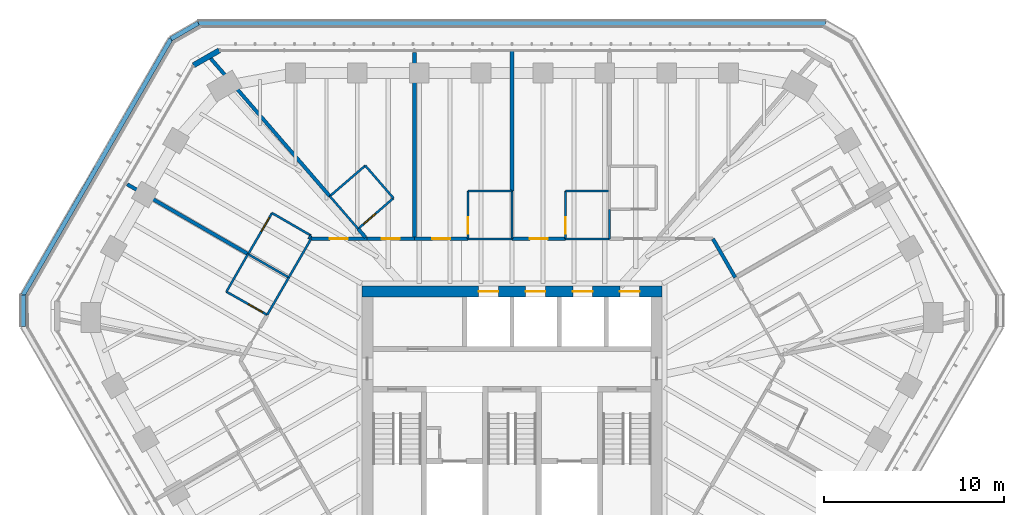
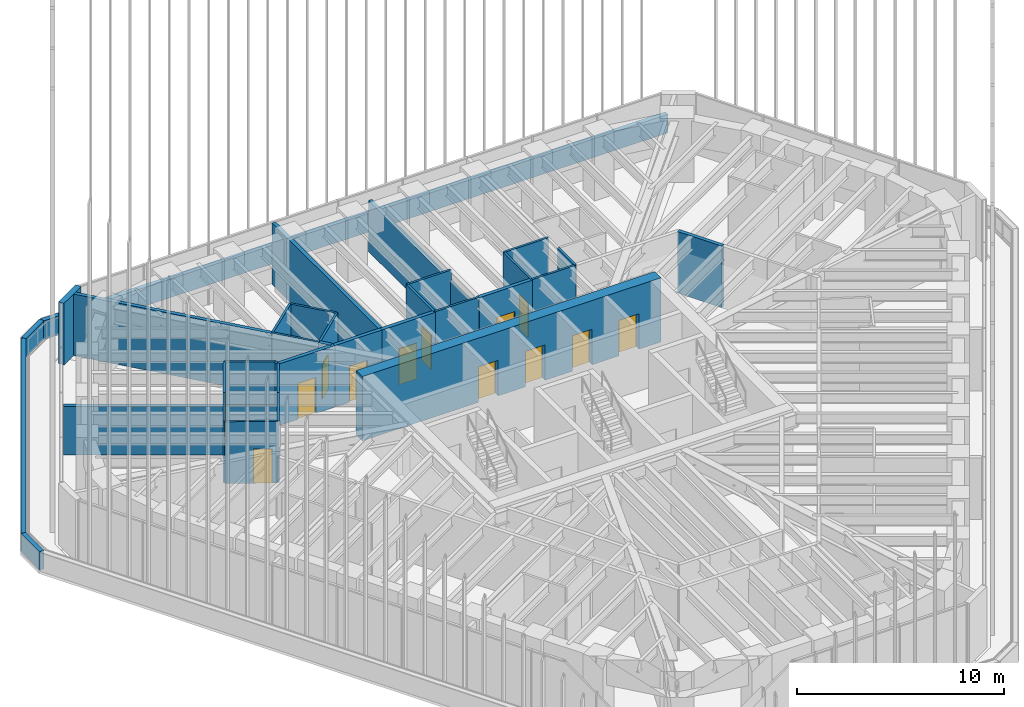
# One storey, part 123 of 127: 36 walls, 13 doors, 13 openings.
"""IFC4 building model written with IfcOpenShell, lengths in metres."""

from ifc_helpers import new_model, si_unit, direction, frame, frame_2d, origin, place, context, subcontext, project, spatial, rectangle, extrude, material, layer, layer_set, type_object, element, fill, save


model = new_model("IFC4")

# Units and contexts
model_context = context("Model", 3, precision=1e-05, world=origin(), true_north=direction((0.0, 1.0)))
body_context = subcontext(model_context, "Body", "Model", "MODEL_VIEW")
ifc_project = project(units=[si_unit("LENGTHUNIT", "METRE"), si_unit("AREAUNIT", "SQUARE_METRE"), si_unit("VOLUMEUNIT", "CUBIC_METRE"), si_unit("PLANEANGLEUNIT", "RADIAN"), si_unit("MASSUNIT", "GRAM", prefix="KILO")], contexts=[model_context])

# Site, building, storey
site_placement = place(None, origin())
site = spatial("IfcSite", under=ifc_project, at=site_placement, CompositionType="ELEMENT")
building_placement = place(site_placement, origin())
building = spatial("IfcBuilding", under=site, at=building_placement, Name="Sandreach Pilgrim Tower", CompositionType="ELEMENT")
storey_placement = place(building_placement, frame((0.0, 0.0, 257.0)))
storey = spatial("IfcBuildingStorey", under=building, at=storey_placement, Name="L64", CompositionType="ELEMENT", Elevation=257.0)

# Wall, opening, door
ifc_material_1 = material(Name="Moisture-resistant gypsum board on steel studs", Category="steel")
ifc_layer_1 = layer(ifc_material_1, 0.1201171875)
ifc_layer_set_1 = layer_set([ifc_layer_1], Name="Bathroom partition 120")
wall_type_1 = type_object("IfcWallType", Name="Bathroom partition 120", PredefinedType="PARTITIONING", material=ifc_layer_set_1)
wall_1_placement = place(storey_placement, frame((-15.89990234375, 6.389892578125, 0.0), z_axis=(0.0, 0.0, 1.0), x_axis=(0.869431908012, -0.494052787999, 0.0)))
wall_1 = element("IfcWall", 1, at=wall_1_placement, inside=storey, type_object=wall_type_1, Name="Bathroom partition L64-006", PredefinedType="PARTITIONING", context=body_context, shape_type="SweptSolid", body=[
    extrude(rectangle(XDim=2.610595703125, YDim=0.1201171875, at=frame_2d((1.30517578125, 0.0))), origin(), (0.0, 0.0, 1.0), 3.639892578125),
])
opening_1_placement = place(wall_1_placement, frame((1.410888671875, 0.0, 0.0)))
opening_1 = element("IfcOpeningElement", 2, at=opening_1_placement, cuts=wall_1, Name="Opening D09-16B", PredefinedType="OPENING", context=body_context, shape_type="SweptSolid", body=[
    extrude(rectangle(XDim=0.89990234375, YDim=2.030029296875, at=frame_2d((0.449951171875, 1.01513671875))), frame((0.0, 0.06005859375, 0.0), z_axis=(0.0, -1.0, 0.0), x_axis=(1.0, 0.0, 0.0)), (0.0, 0.0, 1.0), 0.1201171875),
])
ifc_material_2 = material(Name="Timber door, steel frame", Category="steel")
door_type_1 = type_object("IfcDoorType", Name="Bathroom door", OperationType="SINGLE_SWING_LEFT", PredefinedType="DOOR", material=ifc_material_2)
door_1_placement = place(opening_1_placement, origin())
door_1 = element("IfcDoor", 3, at=door_1_placement, inside=storey, type_object=door_type_1, Name="Door 6416B", OperationType="SINGLE_SWING_RIGHT", OverallHeight=2.030029296875, OverallWidth=0.89990234375, PredefinedType="DOOR", context=body_context, shape_type="SweptSolid", body=[
    extrude(rectangle(XDim=0.89990234375, YDim=2.030029296875, at=frame_2d((0.449951171875, 1.01513671875))), frame((0.0, 0.02490234375, 0.0), z_axis=(0.0, -1.0, 0.0), x_axis=(1.0, 0.0, 0.0)), (0.0, 0.0, 1.0), 0.050048828125),
])
fill(opening_1, door_1)

# Walls
wall_2_placement = place(storey_placement, frame((-14.699951171875, 8.489990234375, 0.0), z_axis=(0.0, 0.0, 1.0), x_axis=(-0.496106327528, -0.868261776072, 0.0)))
element("IfcWall", 4, at=wall_2_placement, inside=storey, type_object=wall_type_1, Name="Bathroom partition L64-013", PredefinedType="PARTITIONING", context=body_context, shape_type="SweptSolid", body=[
    extrude(rectangle(XDim=2.418701171875, YDim=0.1201171875, at=frame_2d((1.20947265625, 0.0))), origin(), (0.0, 0.0, 1.0), 3.639892578125),
])
wall_3_placement = place(storey_placement, frame((-14.68994140625, 8.47998046875, 0.0), z_axis=(0.0, 0.0, 1.0), x_axis=(0.866816256489, -0.498627694264, 0.0)))
element("IfcWall", 5, at=wall_3_placement, inside=storey, type_object=wall_type_1, Name="Bathroom partition L64-014", PredefinedType="PARTITIONING", context=body_context, shape_type="SweptSolid", body=[
    extrude(rectangle(XDim=2.607177734375, YDim=0.1201171875, at=frame_2d((1.3037109375, 0.0))), origin(), (0.0, 0.0, 1.0), 2.8779296875),
])
wall_4_placement = place(storey_placement, frame((-13.6298828125, 5.10009765625, 0.0), z_axis=(0.0, 0.0, 1.0), x_axis=(0.499737123639, 0.866177122335, 0.0)))
element("IfcWall", 6, at=wall_4_placement, inside=storey, type_object=wall_type_1, Name="Bathroom partition L64-018", PredefinedType="PARTITIONING", context=body_context, shape_type="SweptSolid", body=[
    extrude(rectangle(XDim=2.401123046875, YDim=0.1201171875, at=frame_2d((1.20068359375, 0.0))), origin(), (0.0, 0.0, 1.0), 3.639892578125),
])

# Wall, opening, door
wall_5_placement = place(storey_placement, frame((-13.360107421875, 10.77001953125, 0.0), z_axis=(0.0, 0.0, 1.0), x_axis=(-0.502173326652, -0.864766991738, 0.0)))
wall_5 = element("IfcWall", 7, at=wall_5_placement, inside=storey, type_object=wall_type_1, Name="Bathroom partition L64-019", PredefinedType="PARTITIONING", context=body_context, shape_type="SweptSolid", body=[
    extrude(rectangle(XDim=2.648193359375, YDim=0.1201171875, at=frame_2d((1.32421875, 0.0))), origin(), (0.0, 0.0, 1.0), 3.639892578125),
])
opening_2_placement = place(wall_5_placement, frame((0.300048828125, 0.0, 0.0)))
opening_2 = element("IfcOpeningElement", 8, at=opening_2_placement, cuts=wall_5, Name="Opening D09-17B", PredefinedType="OPENING", context=body_context, shape_type="SweptSolid", body=[
    extrude(rectangle(XDim=0.89990234375, YDim=2.030029296875, at=frame_2d((0.449951171875, 1.01513671875))), frame((0.0, 0.06005859375, 0.0), z_axis=(0.0, -1.0, 0.0), x_axis=(1.0, 0.0, 0.0)), (0.0, 0.0, 1.0), 0.1201171875),
])
door_2_placement = place(opening_2_placement, origin())
door_2 = element("IfcDoor", 9, at=door_2_placement, inside=storey, type_object=door_type_1, Name="Door 6417B", OperationType="SINGLE_SWING_LEFT", OverallHeight=2.030029296875, OverallWidth=0.89990234375, PredefinedType="DOOR", context=body_context, shape_type="SweptSolid", body=[
    extrude(rectangle(XDim=0.89990234375, YDim=2.030029296875, at=frame_2d((0.449951171875, 1.01513671875))), frame((0.0, 0.02490234375, 0.0), z_axis=(0.0, -1.0, 0.0), x_axis=(1.0, 0.0, 0.0)), (0.0, 0.0, 1.0), 0.050048828125),
])
fill(opening_2, door_2)

# Walls
wall_6_placement = place(storey_placement, frame((-12.429931640625, 7.179931640625, 0.0), z_axis=(0.0, 0.0, 1.0), x_axis=(0.499577688184, 0.866269088372, 0.0)))
element("IfcWall", 10, at=wall_6_placement, inside=storey, type_object=wall_type_1, Name="Bathroom partition L64-023", PredefinedType="PARTITIONING", context=body_context, shape_type="SweptSolid", body=[
    extrude(rectangle(XDim=2.482177734375, YDim=0.1201171875, at=frame_2d((1.2412109375, 0.0))), origin(), (0.0, 0.0, 1.0), 3.639892578125),
])
wall_7_placement = place(storey_placement, frame((-11.31005859375, 9.330078125, 0.0), z_axis=(0.0, 0.0, 1.0), x_axis=(0.501518373175, 0.865146994081, 0.0)))
element("IfcWall", 11, at=wall_7_placement, inside=storey, type_object=wall_type_1, Name="Bathroom partition L64-025", PredefinedType="PARTITIONING", context=body_context, shape_type="SweptSolid", body=[
    extrude(rectangle(XDim=0.219482421875, YDim=0.1201171875, at=frame_2d((0.10986328125, 0.0))), origin(), (0.0, 0.0, 1.0), 3.639892578125),
])
wall_8_placement = place(storey_placement, frame((-11.199951171875, 9.52001953125, 0.0), z_axis=(0.0, 0.0, 1.0), x_axis=(-0.865533423938, 0.500851167559, 0.0)))
element("IfcWall", 12, at=wall_8_placement, inside=storey, type_object=wall_type_1, Name="Bathroom partition L64-026", PredefinedType="PARTITIONING", context=body_context, shape_type="SweptSolid", body=[
    extrude(rectangle(XDim=2.495849609375, YDim=0.1201171875, at=frame_2d((1.248046875, 0.0))), origin(), (0.0, 0.0, 1.0), 3.639892578125),
])
wall_9_placement = place(storey_placement, frame((-10.142822265625, 11.70751953125, 0.0), z_axis=(0.0, 0.0, 1.0), x_axis=(0.65433095071, -0.756208309226, 0.0)))
element("IfcWall", 13, at=wall_9_placement, inside=storey, type_object=wall_type_1, Name="Bathroom partition L64-027", PredefinedType="PARTITIONING", context=body_context, shape_type="SweptSolid", body=[
    extrude(rectangle(XDim=2.403564453125, YDim=0.1201171875, at=frame_2d((1.20166015625, 0.0))), origin(), (0.0, 0.0, 1.0), 3.639892578125),
])

# Wall, opening, door
wall_10_placement = place(storey_placement, frame((-8.570068359375, 9.889892578125, 0.0), z_axis=(0.0, 0.0, 1.0), x_axis=(0.755185511235, 0.655511131576, 0.0)))
wall_10 = element("IfcWall", 14, at=wall_10_placement, inside=storey, type_object=wall_type_1, Name="Bathroom partition L64-032", PredefinedType="PARTITIONING", context=body_context, shape_type="SweptSolid", body=[
    extrude(rectangle(XDim=2.608642578125, YDim=0.1201171875, at=frame_2d((1.30419921875, 0.0))), origin(), (0.0, 0.0, 1.0), 3.639892578125),
])
opening_3_placement = place(wall_10_placement, frame((0.39990234375, 0.0, 0.0)))
opening_3 = element("IfcOpeningElement", 15, at=opening_3_placement, cuts=wall_10, Name="Opening D09-01B", PredefinedType="OPENING", context=body_context, shape_type="SweptSolid", body=[
    extrude(rectangle(XDim=0.89990234375, YDim=2.030029296875, at=frame_2d((0.449951171875, 1.01513671875))), frame((0.0, 0.06005859375, 0.0), z_axis=(0.0, -1.0, 0.0), x_axis=(1.0, 0.0, 0.0)), (0.0, 0.0, 1.0), 0.1201171875),
])
door_3_placement = place(opening_3_placement, origin())
door_3 = element("IfcDoor", 16, at=door_3_placement, inside=storey, type_object=door_type_1, Name="Door 6401B", OperationType="SINGLE_SWING_LEFT", OverallHeight=2.030029296875, OverallWidth=0.89990234375, PredefinedType="DOOR", context=body_context, shape_type="SweptSolid", body=[
    extrude(rectangle(XDim=0.89990234375, YDim=2.030029296875, at=frame_2d((0.449951171875, 1.01513671875))), frame((0.0, 0.02490234375, 0.0), z_axis=(0.0, -1.0, 0.0), x_axis=(1.0, 0.0, 0.0)), (0.0, 0.0, 1.0), 0.050048828125),
])
fill(opening_3, door_3)

# Walls
wall_11_placement = place(storey_placement, frame((-8.169921875, 13.409912109375, 0.0), z_axis=(0.0, 0.0, 1.0), x_axis=(-0.757086659925, -0.653314464377, 0.0)))
element("IfcWall", 17, at=wall_11_placement, inside=storey, type_object=wall_type_1, Name="Bathroom partition L64-034", PredefinedType="PARTITIONING", context=body_context, shape_type="SweptSolid", body=[
    extrude(rectangle(XDim=2.60205078125, YDim=0.1201171875, at=frame_2d((1.301025390625, 0.0))), origin(), (0.0, 0.0, 1.0), 3.639892578125),
])
wall_12_placement = place(storey_placement, frame((-6.60009765625, 11.60009765625, 0.0), z_axis=(0.0, 0.0, 1.0), x_axis=(-0.655244729861, 0.755416669123, 0.0)))
element("IfcWall", 18, at=wall_12_placement, inside=storey, type_object=wall_type_1, Name="Bathroom partition L64-037", PredefinedType="PARTITIONING", context=body_context, shape_type="SweptSolid", body=[
    extrude(rectangle(XDim=2.395751953125, YDim=0.1201171875, at=frame_2d((1.19775390625, 0.0))), origin(), (0.0, 0.0, 1.0), 3.639892578125),
])

# Wall, opening, door
wall_13_placement = place(storey_placement, frame((-2.449951171875, 12.0, 0.0), z_axis=(0.0, 0.0, 1.0), x_axis=(0.0, -1.0, 0.0)))
wall_13 = element("IfcWall", 19, at=wall_13_placement, inside=storey, type_object=wall_type_1, Name="Bathroom partition L64-047", PredefinedType="PARTITIONING", context=body_context, shape_type="SweptSolid", body=[
    extrude(rectangle(XDim=2.669921875, YDim=0.1201171875, at=frame_2d((1.3349609375, 0.0))), origin(), (0.0, 0.0, 1.0), 3.639892578125),
])
opening_4_placement = place(wall_13_placement, frame((1.469970703125, 0.0, 0.0)))
opening_4 = element("IfcOpeningElement", 20, at=opening_4_placement, cuts=wall_13, Name="Opening D09-02B", PredefinedType="OPENING", context=body_context, shape_type="SweptSolid", body=[
    extrude(rectangle(XDim=0.89990234375, YDim=2.030029296875, at=frame_2d((0.449951171875, 1.01513671875))), frame((0.0, 0.06005859375, 0.0), z_axis=(0.0, -1.0, 0.0), x_axis=(1.0, 0.0, 0.0)), (0.0, 0.0, 1.0), 0.1201171875),
])
door_4_placement = place(opening_4_placement, origin())
door_4 = element("IfcDoor", 21, at=door_4_placement, inside=storey, type_object=door_type_1, Name="Door 6402B", OperationType="SINGLE_SWING_RIGHT", OverallHeight=2.030029296875, OverallWidth=0.89990234375, PredefinedType="DOOR", context=body_context, shape_type="SweptSolid", body=[
    extrude(rectangle(XDim=0.89990234375, YDim=2.030029296875, at=frame_2d((0.449951171875, 1.01513671875))), frame((0.0, 0.02490234375, 0.0), z_axis=(0.0, -1.0, 0.0), x_axis=(1.0, 0.0, 0.0)), (0.0, 0.0, 1.0), 0.050048828125),
])
fill(opening_4, door_4)

# Walls
for number, where, z_axis, x_axis, name in (
    (22, (0.0, 9.330078125, 0.0), (0.0, 0.0, 1.0), (-1.0, 0.0, 0.0), "Bathroom partition L64-054"),
    (23, (0.0, 12.0, 0.0), (0.0, 0.0, 1.0), (-1.0, 0.0, 0.0), "Bathroom partition L64-055"),
):
    element("IfcWall", number, at=place(storey_placement, frame(where, z_axis=z_axis, x_axis=x_axis)), inside=storey, type_object=wall_type_1, Name=name, PredefinedType="PARTITIONING", context=body_context, shape_type="SweptSolid", body=[
        extrude(rectangle(XDim=2.449951171875, YDim=0.1201171875, at=frame_2d((1.22509765625, 0.0))), origin(), (0.0, 0.0, 1.0), 3.639892578125),
    ])
wall_14_placement = place(storey_placement, frame((0.0, 12.0, 0.0), z_axis=(0.0, 0.0, 1.0), x_axis=(0.0, -1.0, 0.0)))
element("IfcWall", 24, at=wall_14_placement, inside=storey, type_object=wall_type_1, Name="Bathroom partition L64-056", PredefinedType="PARTITIONING", context=body_context, shape_type="SweptSolid", body=[
    extrude(rectangle(XDim=2.669921875, YDim=0.1201171875, at=frame_2d((1.3349609375, 0.0))), origin(), (0.0, 0.0, 1.0), 3.022705078125),
])

# Wall, opening, door
wall_15_placement = place(storey_placement, frame((2.97998046875, 12.0, 0.0), z_axis=(0.0, 0.0, 1.0), x_axis=(0.0, -1.0, 0.0)))
wall_15 = element("IfcWall", 25, at=wall_15_placement, inside=storey, type_object=wall_type_1, Name="Bathroom partition L64-064", PredefinedType="PARTITIONING", context=body_context, shape_type="SweptSolid", body=[
    extrude(rectangle(XDim=2.669921875, YDim=0.1201171875, at=frame_2d((1.3349609375, 0.0))), origin(), (0.0, 0.0, 1.0), 3.639892578125),
])
opening_5_placement = place(wall_15_placement, frame((1.469970703125, 0.0, 0.0)))
opening_5 = element("IfcOpeningElement", 26, at=opening_5_placement, cuts=wall_15, Name="Opening D09-03B", PredefinedType="OPENING", context=body_context, shape_type="SweptSolid", body=[
    extrude(rectangle(XDim=0.89990234375, YDim=2.030029296875, at=frame_2d((0.449951171875, 1.01513671875))), frame((0.0, 0.06005859375, 0.0), z_axis=(0.0, -1.0, 0.0), x_axis=(1.0, 0.0, 0.0)), (0.0, 0.0, 1.0), 0.1201171875),
])
door_5_placement = place(opening_5_placement, origin())
door_5 = element("IfcDoor", 27, at=door_5_placement, inside=storey, type_object=door_type_1, Name="Door 6403B", OperationType="SINGLE_SWING_RIGHT", OverallHeight=2.030029296875, OverallWidth=0.89990234375, PredefinedType="DOOR", context=body_context, shape_type="SweptSolid", body=[
    extrude(rectangle(XDim=0.89990234375, YDim=2.030029296875, at=frame_2d((0.449951171875, 1.01513671875))), frame((0.0, 0.02490234375, 0.0), z_axis=(0.0, -1.0, 0.0), x_axis=(1.0, 0.0, 0.0)), (0.0, 0.0, 1.0), 0.050048828125),
])
fill(opening_5, door_5)

# Walls
wall_16_placement = place(storey_placement, frame((5.429931640625, 9.330078125, 0.0), z_axis=(0.0, 0.0, 1.0), x_axis=(-1.0, 0.0, 0.0)))
element("IfcWall", 28, at=wall_16_placement, inside=storey, type_object=wall_type_1, Name="Bathroom partition L64-073", PredefinedType="PARTITIONING", context=body_context, shape_type="SweptSolid", body=[
    extrude(rectangle(XDim=2.449951171875, YDim=0.1201171875, at=frame_2d((1.22509765625, 0.0))), origin(), (0.0, 0.0, 1.0), 3.639892578125),
])
wall_17_placement = place(storey_placement, frame((5.429931640625, 10.97998046875, 0.0), z_axis=(0.0, 0.0, 1.0), x_axis=(0.0, -1.0, 0.0)))
element("IfcWall", 29, at=wall_17_placement, inside=storey, type_object=wall_type_1, Name="Bathroom partition L64-074", PredefinedType="PARTITIONING", context=body_context, shape_type="SweptSolid", body=[
    extrude(rectangle(XDim=1.64990234375, YDim=0.1201171875, at=frame_2d((0.824951171875, 0.0))), origin(), (0.0, 0.0, 1.0), 3.639892578125),
])
wall_18_placement = place(storey_placement, frame((5.429931640625, 12.0, 0.0), z_axis=(0.0, 0.0, 1.0), x_axis=(-1.0, 0.0, 0.0)))
element("IfcWall", 30, at=wall_18_placement, inside=storey, type_object=wall_type_1, Name="Bathroom partition L64-076", PredefinedType="PARTITIONING", context=body_context, shape_type="SweptSolid", body=[
    extrude(rectangle(XDim=2.449951171875, YDim=0.1201171875, at=frame_2d((1.22509765625, 0.0))), origin(), (0.0, 0.0, 1.0), 3.639892578125),
])

# Wall, openings, doors
ifc_material_3 = material(Name="Concrete 10000 psi", Category="concrete")
ifc_layer_2 = layer(ifc_material_3, 0.60009765625)
ifc_layer_set_2 = layer_set([ifc_layer_2], Name="Core wall 600")
wall_type_2 = type_object("IfcWallType", Name="Core wall 600", PredefinedType="SHEAR", material=ifc_layer_set_2)
wall_19_placement = place(storey_placement, frame((-8.35009765625, 6.39990234375, 0.0), z_axis=(0.0, 0.0, 1.0), x_axis=(1.0, 0.0, 0.0)))
wall_19 = element("IfcWall", 31, at=wall_19_placement, inside=storey, type_object=wall_type_2, Name="Core wall N L64", PredefinedType="SHEAR", context=body_context, shape_type="SweptSolid", body=[
    extrude(rectangle(XDim=16.7001953125, YDim=0.60009765625, at=frame_2d((8.35009765625, 0.0))), origin(), (0.0, 0.0, 1.0), 3.800048828125),
])
opening_6_placement = place(wall_19_placement, frame((6.487548828125, 0.0, 0.0)))
opening_6 = element("IfcOpeningElement", 32, at=opening_6_placement, cuts=wall_19, Name="Opening LD11", PredefinedType="OPENING", context=body_context, shape_type="SweptSolid", body=[
    extrude(rectangle(XDim=1.10009765625, YDim=2.10009765625, at=frame_2d((0.550048828125, 1.050048828125))), frame((0.0, 0.300048828125, 0.0), z_axis=(0.0, -1.0, 0.0), x_axis=(1.0, 0.0, 0.0)), (0.0, 0.0, 1.0), 0.60009765625),
])
opening_7_placement = place(wall_19_placement, frame((9.112548828125, 0.0, 0.0)))
opening_7 = element("IfcOpeningElement", 33, at=opening_7_placement, cuts=wall_19, Name="Opening LD11", PredefinedType="OPENING", context=body_context, shape_type="SweptSolid", body=[
    extrude(rectangle(XDim=1.10009765625, YDim=2.10009765625, at=frame_2d((0.550048828125, 1.050048828125))), frame((0.0, 0.300048828125, 0.0), z_axis=(0.0, -1.0, 0.0), x_axis=(1.0, 0.0, 0.0)), (0.0, 0.0, 1.0), 0.60009765625),
])
opening_8_placement = place(wall_19_placement, frame((11.737548828125, 0.0, 0.0)))
opening_8 = element("IfcOpeningElement", 34, at=opening_8_placement, cuts=wall_19, Name="Opening LD11", PredefinedType="OPENING", context=body_context, shape_type="SweptSolid", body=[
    extrude(rectangle(XDim=1.10009765625, YDim=2.10009765625, at=frame_2d((0.550048828125, 1.050048828125))), frame((0.0, 0.300048828125, 0.0), z_axis=(0.0, -1.0, 0.0), x_axis=(1.0, 0.0, 0.0)), (0.0, 0.0, 1.0), 0.60009765625),
])
opening_9_placement = place(wall_19_placement, frame((14.362548828125, 0.0, 0.0)))
opening_9 = element("IfcOpeningElement", 35, at=opening_9_placement, cuts=wall_19, Name="Opening LD11", PredefinedType="OPENING", context=body_context, shape_type="SweptSolid", body=[
    extrude(rectangle(XDim=1.10009765625, YDim=2.10009765625, at=frame_2d((0.550048828125, 1.050048828125))), frame((0.0, 0.300048828125, 0.0), z_axis=(0.0, -1.0, 0.0), x_axis=(1.0, 0.0, 0.0)), (0.0, 0.0, 1.0), 0.60009765625),
])
ifc_material_4 = material(Name="Steel door and frame", Category="steel")
door_type_2 = type_object("IfcDoorType", Name="Lift landing door", OperationType="DOUBLE_DOOR_SLIDING", PredefinedType="DOOR", material=ifc_material_4)
door_6_placement = place(opening_6_placement, origin())
door_6 = element("IfcDoor", 36, at=door_6_placement, inside=storey, type_object=door_type_2, Name="Lift landing door Z3A L64", OperationType="DOUBLE_DOOR_SLIDING", OverallHeight=2.10009765625, OverallWidth=1.10009765625, PredefinedType="DOOR", context=body_context, shape_type="SweptSolid", body=[
    extrude(rectangle(XDim=1.10009765625, YDim=2.10009765625, at=frame_2d((0.550048828125, 1.050048828125))), frame((0.0, 0.02490234375, 0.0), z_axis=(0.0, -1.0, 0.0), x_axis=(1.0, 0.0, 0.0)), (0.0, 0.0, 1.0), 0.050048828125),
])
fill(opening_6, door_6)
door_7_placement = place(opening_7_placement, origin())
door_7 = element("IfcDoor", 37, at=door_7_placement, inside=storey, type_object=door_type_2, Name="Lift landing door Z3B L64", OperationType="DOUBLE_DOOR_SLIDING", OverallHeight=2.10009765625, OverallWidth=1.10009765625, PredefinedType="DOOR", context=body_context, shape_type="SweptSolid", body=[
    extrude(rectangle(XDim=1.10009765625, YDim=2.10009765625, at=frame_2d((0.550048828125, 1.050048828125))), frame((0.0, 0.02490234375, 0.0), z_axis=(0.0, -1.0, 0.0), x_axis=(1.0, 0.0, 0.0)), (0.0, 0.0, 1.0), 0.050048828125),
])
fill(opening_7, door_7)
door_8_placement = place(opening_8_placement, origin())
door_8 = element("IfcDoor", 38, at=door_8_placement, inside=storey, type_object=door_type_2, Name="Lift landing door Z3C L64", OperationType="DOUBLE_DOOR_SLIDING", OverallHeight=2.10009765625, OverallWidth=1.10009765625, PredefinedType="DOOR", context=body_context, shape_type="SweptSolid", body=[
    extrude(rectangle(XDim=1.10009765625, YDim=2.10009765625, at=frame_2d((0.550048828125, 1.050048828125))), frame((0.0, 0.02490234375, 0.0), z_axis=(0.0, -1.0, 0.0), x_axis=(1.0, 0.0, 0.0)), (0.0, 0.0, 1.0), 0.050048828125),
])
fill(opening_8, door_8)
door_9_placement = place(opening_9_placement, origin())
door_9 = element("IfcDoor", 39, at=door_9_placement, inside=storey, type_object=door_type_2, Name="Lift landing door Z3D L64", OperationType="DOUBLE_DOOR_SLIDING", OverallHeight=2.10009765625, OverallWidth=1.10009765625, PredefinedType="DOOR", context=body_context, shape_type="SweptSolid", body=[
    extrude(rectangle(XDim=1.10009765625, YDim=2.10009765625, at=frame_2d((0.550048828125, 1.050048828125))), frame((0.0, 0.02490234375, 0.0), z_axis=(0.0, -1.0, 0.0), x_axis=(1.0, 0.0, 0.0)), (0.0, 0.0, 1.0), 0.050048828125),
])
fill(opening_9, door_9)

# Wall, opening, door
ifc_material_5 = material(Name="Gypsum board on steel studs, two layers each side", Category="steel")
ifc_layer_3 = layer(ifc_material_5, 0.199951171875)
ifc_layer_set_3 = layer_set([ifc_layer_3], Name="Corridor wall 200")
wall_type_3 = type_object("IfcWallType", Name="Corridor wall 200", PredefinedType="PARTITIONING", material=ifc_layer_set_3)
wall_20_placement = place(storey_placement, frame((-8.080078125, 9.330078125, 0.0), z_axis=(0.0, 0.0, 1.0), x_axis=(-1.0, 0.0, 0.0)))
wall_20 = element("IfcWall", 40, at=wall_20_placement, inside=storey, type_object=wall_type_3, Name="Corridor wall L64-035", PredefinedType="PARTITIONING", context=body_context, shape_type="SweptSolid", body=[
    extrude(rectangle(XDim=3.10986328125, YDim=0.199951171875, at=frame_2d((1.554931640625, 0.0))), origin(), (0.0, 0.0, 1.0), 3.639892578125),
])
opening_10_placement = place(wall_20_placement, frame((1.054931640625, 0.0, 0.0)))
opening_10 = element("IfcOpeningElement", 41, at=opening_10_placement, cuts=wall_20, Name="Opening D10-17", PredefinedType="OPENING", context=body_context, shape_type="SweptSolid", body=[
    extrude(rectangle(XDim=1.0, YDim=2.1298828125, at=frame_2d((0.5, 1.06494140625))), frame((0.0, 0.10009765625, 0.0), z_axis=(0.0, -1.0, 0.0), x_axis=(1.0, 0.0, 0.0)), (0.0, 0.0, 1.0), 0.199951171875),
])
ifc_material_6 = material(Name="Steel door and frame", Category="steel")
door_type_3 = type_object("IfcDoorType", Name="Guest room entry door", OperationType="SINGLE_SWING_LEFT", PredefinedType="DOOR", material=ifc_material_6)
door_10_placement = place(opening_10_placement, origin())
door_10 = element("IfcDoor", 42, at=door_10_placement, inside=storey, type_object=door_type_3, Name="Door 6417", OperationType="SINGLE_SWING_LEFT", OverallHeight=2.1298828125, OverallWidth=1.0, PredefinedType="DOOR", context=body_context, shape_type="SweptSolid", body=[
    extrude(rectangle(XDim=1.0, YDim=2.1298828125, at=frame_2d((0.5, 1.06494140625))), frame((0.0, 0.02490234375, 0.0), z_axis=(0.0, -1.0, 0.0), x_axis=(1.0, 0.0, 0.0)), (0.0, 0.0, 1.0), 0.050048828125),
])
fill(opening_10, door_10)

wall_21_placement = place(storey_placement, frame((-5.429931640625, 9.330078125, 0.0), z_axis=(0.0, 0.0, 1.0), x_axis=(-1.0, 0.0, 0.0)))
wall_21 = element("IfcWall", 43, at=wall_21_placement, inside=storey, type_object=wall_type_3, Name="Corridor wall L64-039", PredefinedType="PARTITIONING", context=body_context, shape_type="SweptSolid", body=[
    extrude(rectangle(XDim=2.650146484375, YDim=0.199951171875, at=frame_2d((1.3251953125, 0.0))), origin(), (0.0, 0.0, 1.0), 3.639892578125),
])
opening_11_placement = place(wall_21_placement, frame((0.824951171875, 0.0, 0.0)))
opening_11 = element("IfcOpeningElement", 44, at=opening_11_placement, cuts=wall_21, Name="Opening D10-01", PredefinedType="OPENING", context=body_context, shape_type="SweptSolid", body=[
    extrude(rectangle(XDim=1.0, YDim=2.1298828125, at=frame_2d((0.5, 1.06494140625))), frame((0.0, 0.10009765625, 0.0), z_axis=(0.0, -1.0, 0.0), x_axis=(1.0, 0.0, 0.0)), (0.0, 0.0, 1.0), 0.199951171875),
])
door_11_placement = place(opening_11_placement, origin())
door_11 = element("IfcDoor", 45, at=door_11_placement, inside=storey, type_object=door_type_3, Name="Door 6401", OperationType="SINGLE_SWING_LEFT", OverallHeight=2.1298828125, OverallWidth=1.0, PredefinedType="DOOR", context=body_context, shape_type="SweptSolid", body=[
    extrude(rectangle(XDim=1.0, YDim=2.1298828125, at=frame_2d((0.5, 1.06494140625))), frame((0.0, 0.02490234375, 0.0), z_axis=(0.0, -1.0, 0.0), x_axis=(1.0, 0.0, 0.0)), (0.0, 0.0, 1.0), 0.050048828125),
])
fill(opening_11, door_11)

wall_22_placement = place(storey_placement, frame((-5.429931640625, 9.330078125, 0.0), z_axis=(0.0, 0.0, 1.0), x_axis=(1.0, 0.0, 0.0)))
wall_22 = element("IfcWall", 46, at=wall_22_placement, inside=storey, type_object=wall_type_3, Name="Corridor wall L64-040", PredefinedType="PARTITIONING", context=body_context, shape_type="SweptSolid", body=[
    extrude(rectangle(XDim=2.97998046875, YDim=0.199951171875, at=frame_2d((1.489990234375, 0.0))), origin(), (0.0, 0.0, 1.0), 3.639892578125),
])
opening_12_placement = place(wall_22_placement, frame((0.989990234375, 0.0, 0.0)))
opening_12 = element("IfcOpeningElement", 47, at=opening_12_placement, cuts=wall_22, Name="Opening D10-02", PredefinedType="OPENING", context=body_context, shape_type="SweptSolid", body=[
    extrude(rectangle(XDim=1.0, YDim=2.1298828125, at=frame_2d((0.5, 1.06494140625))), frame((0.0, 0.10009765625, 0.0), z_axis=(0.0, -1.0, 0.0), x_axis=(1.0, 0.0, 0.0)), (0.0, 0.0, 1.0), 0.199951171875),
])
door_12_placement = place(opening_12_placement, origin())
door_12 = element("IfcDoor", 48, at=door_12_placement, inside=storey, type_object=door_type_3, Name="Door 6402", OperationType="SINGLE_SWING_LEFT", OverallHeight=2.1298828125, OverallWidth=1.0, PredefinedType="DOOR", context=body_context, shape_type="SweptSolid", body=[
    extrude(rectangle(XDim=1.0, YDim=2.1298828125, at=frame_2d((0.5, 1.06494140625))), frame((0.0, 0.02490234375, 0.0), z_axis=(0.0, -1.0, 0.0), x_axis=(1.0, 0.0, 0.0)), (0.0, 0.0, 1.0), 0.050048828125),
])
fill(opening_12, door_12)

wall_23_placement = place(storey_placement, frame((2.97998046875, 9.330078125, 0.0), z_axis=(0.0, 0.0, 1.0), x_axis=(-1.0, 0.0, 0.0)))
wall_23 = element("IfcWall", 49, at=wall_23_placement, inside=storey, type_object=wall_type_3, Name="Corridor wall L64-063", PredefinedType="PARTITIONING", context=body_context, shape_type="SweptSolid", body=[
    extrude(rectangle(XDim=2.97998046875, YDim=0.199951171875, at=frame_2d((1.489990234375, 0.0))), origin(), (0.0, 0.0, 1.0), 3.639892578125),
])
opening_13_placement = place(wall_23_placement, frame((0.989990234375, 0.0, 0.0)))
opening_13 = element("IfcOpeningElement", 50, at=opening_13_placement, cuts=wall_23, Name="Opening D10-03", PredefinedType="OPENING", context=body_context, shape_type="SweptSolid", body=[
    extrude(rectangle(XDim=1.0, YDim=2.1298828125, at=frame_2d((0.5, 1.06494140625))), frame((0.0, 0.10009765625, 0.0), z_axis=(0.0, -1.0, 0.0), x_axis=(1.0, 0.0, 0.0)), (0.0, 0.0, 1.0), 0.199951171875),
])
door_13_placement = place(opening_13_placement, origin())
door_13 = element("IfcDoor", 51, at=door_13_placement, inside=storey, type_object=door_type_3, Name="Door 6403", OperationType="SINGLE_SWING_LEFT", OverallHeight=2.1298828125, OverallWidth=1.0, PredefinedType="DOOR", context=body_context, shape_type="SweptSolid", body=[
    extrude(rectangle(XDim=1.0, YDim=2.1298828125, at=frame_2d((0.5, 1.06494140625))), frame((0.0, 0.02490234375, 0.0), z_axis=(0.0, -1.0, 0.0), x_axis=(1.0, 0.0, 0.0)), (0.0, 0.0, 1.0), 0.050048828125),
])
fill(opening_13, door_13)

# Walls
wall_24_placement = place(storey_placement, frame((11.18994140625, 9.330078125, 0.0), z_axis=(0.0, 0.0, 1.0), x_axis=(0.499577688184, -0.866269088372, 0.0)))
element("IfcWall", 52, at=wall_24_placement, inside=storey, type_object=wall_type_3, Name="Corridor wall L64-096", PredefinedType="PARTITIONING", context=body_context, shape_type="SweptSolid", body=[
    extrude(rectangle(XDim=2.482177734375, YDim=0.199951171875, at=frame_2d((1.2412109375, 0.0))), origin(), (0.0, 0.0, 1.0), 3.639892578125),
])
ifc_material_7 = material(Name="Double steel stud acoustic wall, gypsum board", Category="steel")
ifc_layer_4 = layer(ifc_material_7, 0.199951171875)
ifc_layer_set_4 = layer_set([ifc_layer_4], Name="Party wall 200")
wall_type_4 = type_object("IfcWallType", Name="Party wall 200", PredefinedType="PARTITIONING", material=ifc_layer_set_4)
wall_25_placement = place(storey_placement, frame((-21.426025390625, 12.3701171875, 0.0), z_axis=(0.0, 0.0, 1.0), x_axis=(0.866202335538, -0.499693419917, 0.0)))
element("IfcWall", 53, at=wall_25_placement, inside=storey, type_object=wall_type_4, Name="Party wall L64-002", PredefinedType="PARTITIONING", context=body_context, shape_type="SweptSolid", body=[
    extrude(rectangle(XDim=7.76513671875, YDim=0.199951171875, at=frame_2d((3.882568359375, 0.0))), origin(), (0.0, 0.0, 1.0), 2.8779296875),
])
wall_26_placement = place(storey_placement, frame((-16.890380859375, 19.50732421875, 0.0), z_axis=(0.0, 0.0, 1.0), x_axis=(0.654250750888, -0.756277696989, 0.0)))
element("IfcWall", 54, at=wall_26_placement, inside=storey, type_object=wall_type_4, Name="Party wall L64-004", PredefinedType="PARTITIONING", context=body_context, shape_type="SweptSolid", body=[
    extrude(rectangle(XDim=10.3134765625, YDim=0.199951171875, at=frame_2d((5.15673828125, 0.0))), origin(), (0.0, 0.0, 1.0), 3.639892578125),
])
wall_27_placement = place(storey_placement, frame((-8.570068359375, 9.889892578125, 0.0), z_axis=(0.0, 0.0, 1.0), x_axis=(0.658587029901, -0.752504567459, 0.0)))
element("IfcWall", 55, at=wall_27_placement, inside=storey, type_object=wall_type_4, Name="Party wall L64-031", PredefinedType="PARTITIONING", context=body_context, shape_type="SweptSolid", body=[
    extrude(rectangle(XDim=0.629150390625, YDim=0.199951171875, at=frame_2d((0.314453125, 0.0))), origin(), (0.0, 0.0, 1.0), 3.639892578125),
])
wall_28_placement = place(storey_placement, frame((-5.429931640625, 19.7099609375, 0.0), z_axis=(0.0, 0.0, 1.0), x_axis=(0.0, -1.0, 0.0)))
element("IfcWall", 56, at=wall_28_placement, inside=storey, type_object=wall_type_4, Name="Party wall L64-041", PredefinedType="PARTITIONING", context=body_context, shape_type="SweptSolid", body=[
    extrude(rectangle(XDim=10.364990234375, YDim=0.199951171875, at=frame_2d((5.1826171875, 0.0))), origin(), (0.0, 0.0, 1.0), 3.639892578125),
])
wall_29_placement = place(storey_placement, frame((0.0, 19.800048828125, 0.0), z_axis=(0.0, 0.0, 1.0), x_axis=(0.0, -1.0, 0.0)))
element("IfcWall", 57, at=wall_29_placement, inside=storey, type_object=wall_type_4, Name="Party wall L64-057", PredefinedType="PARTITIONING", context=body_context, shape_type="SweptSolid", body=[
    extrude(rectangle(XDim=7.800048828125, YDim=0.199951171875, at=frame_2d((3.89990234375, 0.0))), origin(), (0.0, 0.0, 1.0), 3.022705078125),
])
ifc_material_8 = material(Name="Concrete parapet with terracotta coping", Category="masonry")
ifc_layer_5 = layer(ifc_material_8, 0.25)
ifc_layer_set_5 = layer_set([ifc_layer_5], Name="Setback parapet")
wall_type_5 = type_object("IfcWallType", Name="Setback parapet", PredefinedType="PARAPET", material=ifc_layer_set_5)
wall_30_placement = place(storey_placement, frame((-17.468017578125, 21.343994140625, 0.0), z_axis=(0.0, 0.0, 1.0), x_axis=(-0.866531606097, -0.499122205112, 0.0)))
element("IfcWall", 58, at=wall_30_placement, inside=storey, type_object=wall_type_5, Name="Setback parapet L64 1", PredefinedType="PARAPET", context=body_context, shape_type="SweptSolid", body=[
    extrude(rectangle(XDim=1.760986328125, YDim=0.25, at=frame_2d((0.88037109375, 0.0))), origin(), (0.0, 0.0, 1.0), 1.10009765625),
])
wall_31_placement = place(storey_placement, frame((-18.993896484375, 20.465087890625, 0.0), z_axis=(0.0, 0.0, 1.0), x_axis=(-0.49999647861, -0.86602743685, 0.0)))
element("IfcWall", 59, at=wall_31_placement, inside=storey, type_object=wall_type_5, Name="Setback parapet L64 2", PredefinedType="PARAPET", context=body_context, shape_type="SweptSolid", body=[
    extrude(rectangle(XDim=16.45263671875, YDim=0.25, at=frame_2d((8.226318359375, 0.0))), origin(), (0.0, 0.0, 1.0), 1.10009765625),
])
wall_32_placement = place(storey_placement, frame((-27.22021484375, 6.216552734375, 0.0), z_axis=(0.0, 0.0, 1.0), x_axis=(0.000970604091, -0.999999528964, 0.0)))
element("IfcWall", 60, at=wall_32_placement, inside=storey, type_object=wall_type_5, Name="Setback parapet L64 3", PredefinedType="PARAPET", context=body_context, shape_type="SweptSolid", body=[
    extrude(rectangle(XDim=1.7607421875, YDim=0.25, at=frame_2d((0.88037109375, 0.0))), origin(), (0.0, 0.0, 1.0), 1.10009765625),
])
wall_33_placement = place(storey_placement, frame((17.468017578125, 21.343994140625, 0.0), z_axis=(0.0, 0.0, 1.0), x_axis=(-1.0, 0.0, 0.0)))
element("IfcWall", 61, at=wall_33_placement, inside=storey, type_object=wall_type_5, Name="Setback parapet L64 12", PredefinedType="PARAPET", context=body_context, shape_type="SweptSolid", body=[
    extrude(rectangle(XDim=34.93603515625, YDim=0.25, at=frame_2d((17.468017578125, 0.0))), origin(), (0.0, 0.0, 1.0), 1.10009765625),
])
ifc_material_9 = material(Name="Terracotta rainscreen on concrete", Category="masonry")
ifc_layer_6 = layer(ifc_material_9, 0.300048828125)
ifc_layer_set_6 = layer_set([ifc_layer_6], Name="Terracotta chamfer pier")
wall_type_6 = type_object("IfcWallType", Name="Terracotta chamfer pier", PredefinedType="SOLIDWALL", material=ifc_layer_set_6)
wall_34_placement = place(storey_placement, frame((-17.736083984375, 18.996337890625, 0.0), z_axis=(0.0, 0.0, 1.0), x_axis=(0.866026405774, 0.499998264499, 0.0)))
element("IfcWall", 62, at=wall_34_placement, inside=storey, type_object=wall_type_6, Name="Chamfer pier L64 NW", PredefinedType="SOLIDWALL", context=body_context, shape_type="SweptSolid", body=[
    extrude(rectangle(XDim=1.66015625, YDim=0.300048828125, at=frame_2d((0.830078125, 0.0))), origin(), (0.0, 0.0, 1.0), 3.639892578125),
])

save(model, "model.ifc")
